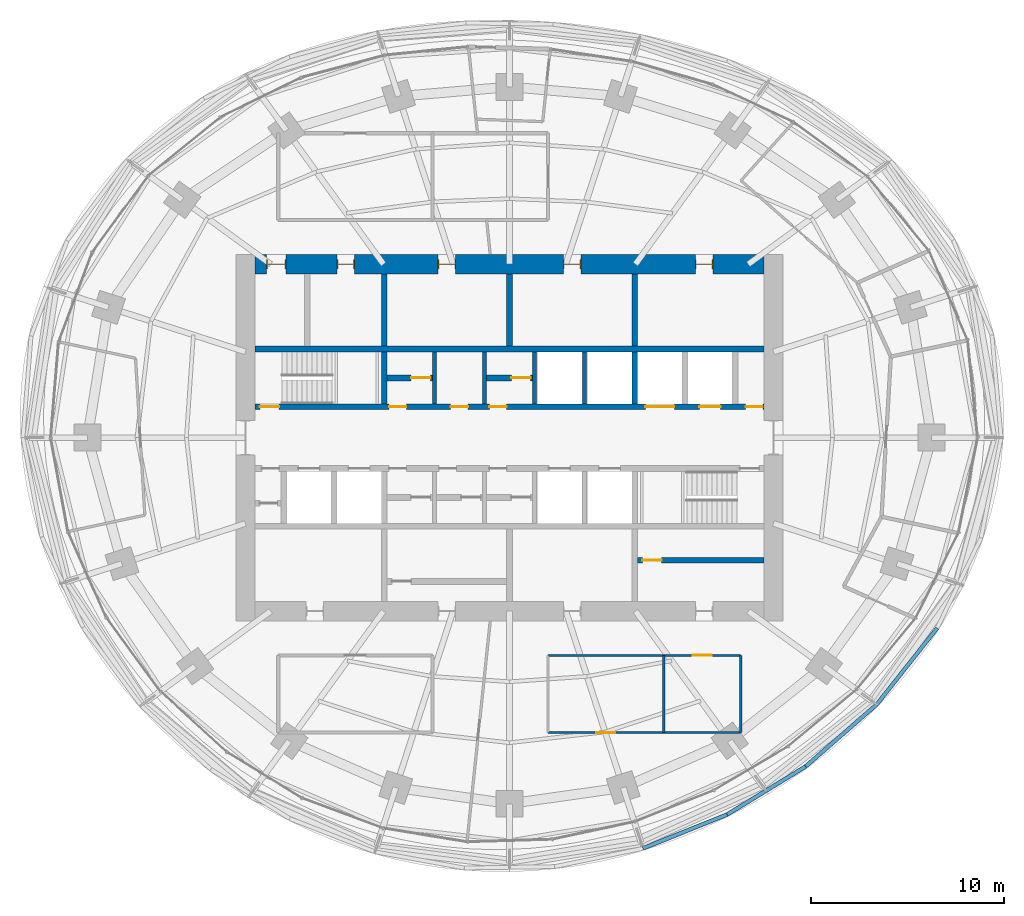
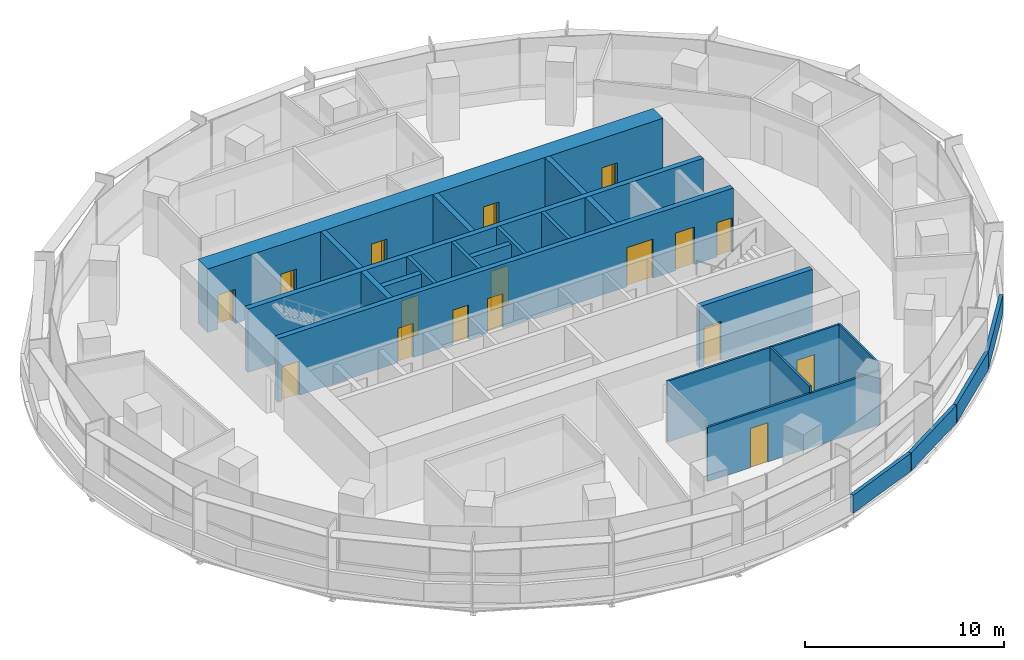
# One storey, part 13 of 17: 23 walls, 17 doors, 17 openings.
"""IFC4 building model written with IfcOpenShell, lengths in metres."""

from ifc_helpers import new_model, si_unit, direction, frame, frame_2d, origin, place, context, subcontext, project, spatial, rectangle, extrude, material, layer, layer_set, type_object, element, fill, save


model = new_model("IFC4")

# Units and contexts
model_context = context("Model", 3, precision=1e-05, world=origin(), true_north=direction((0.0, 1.0)))
body_context = subcontext(model_context, "Body", "Model", "MODEL_VIEW")
ifc_project = project(units=[si_unit("LENGTHUNIT", "METRE"), si_unit("AREAUNIT", "SQUARE_METRE"), si_unit("VOLUMEUNIT", "CUBIC_METRE"), si_unit("PLANEANGLEUNIT", "RADIAN"), si_unit("MASSUNIT", "GRAM", prefix="KILO")], contexts=[model_context])

# Site, building, storey
site_placement = place(None, origin())
site = spatial("IfcSite", under=ifc_project, at=site_placement, CompositionType="ELEMENT")
building_placement = place(site_placement, origin())
building = spatial("IfcBuilding", under=site, at=building_placement, Name="Marramba Exchange Tower", CompositionType="ELEMENT")
storey_placement = place(building_placement, frame((0.0, 0.0, 172.10009765625)))
storey = spatial("IfcBuildingStorey", under=building, at=storey_placement, Name="L41", CompositionType="ELEMENT", Elevation=172.10009765625)

# Walls
ifc_material_1 = material(Name="Concrete N50", Category="concrete")
ifc_layer_1 = layer(ifc_material_1, 0.199951171875)
ifc_layer_set_1 = layer_set([ifc_layer_1], Name="Core shaft wall 200")
wall_type_1 = type_object("IfcWallType", Name="Core shaft wall 200", PredefinedType="SHEAR", material=ifc_layer_set_1)
for number, where, z_axis, x_axis, name in (
    (1, (-3.89990234375, 1.75, 0.0), (0.0, 0.0, 1.0), (0.0, 1.0, 0.0), "Core wall SHN1 L41"),
    (2, (-1.300048828125, 1.75, 0.0), (0.0, 0.0, 1.0), (0.0, 1.0, 0.0), "Core wall SHN2 L41"),
    (3, (1.300048828125, 1.75, 0.0), (0.0, 0.0, 1.0), (0.0, 1.0, 0.0), "Core wall SHN3 L41"),
    (4, (3.89990234375, 1.75, 0.0), (0.0, 0.0, 1.0), (0.0, 1.0, 0.0), "Core wall SHN4 L41"),
):
    element("IfcWall", number, at=place(storey_placement, frame(where, z_axis=z_axis, x_axis=x_axis)), inside=storey, type_object=wall_type_1, Name=name, PredefinedType="SHEAR", context=body_context, shape_type="SweptSolid", body=[
        extrude(rectangle(XDim=2.699951171875, YDim=0.199951171875, at=frame_2d((1.35009765625, 0.0))), origin(), (0.0, 0.0, 1.0), 3.89990234375),
    ])

# Wall, openings, doors
ifc_layer_2 = layer(ifc_material_1, 1.0)
ifc_layer_set_2 = layer_set([ifc_layer_2], Name="Core wall 1000")
wall_type_2 = type_object("IfcWallType", Name="Core wall 1000", PredefinedType="SHEAR", material=ifc_layer_set_2)
wall_1_placement = place(storey_placement, frame((13.199951171875, 9.0, 0.0), z_axis=(0.0, 0.0, 1.0), x_axis=(-1.0, 0.0, 0.0)))
wall_1 = element("IfcWall", 5, at=wall_1_placement, inside=storey, type_object=wall_type_2, Name="Core wall N L41", PredefinedType="SHEAR", context=body_context, shape_type="SweptSolid", body=[
    extrude(rectangle(XDim=26.39990234375, YDim=1.0, at=frame_2d((13.199951171875, 0.0))), origin(), (0.0, 0.0, 1.0), 3.89990234375),
])
opening_1_placement = place(wall_1_placement, frame((2.64990234375, 0.0, 0.0)))
opening_1 = element("IfcOpeningElement", 6, at=opening_1_placement, cuts=wall_1, Name="Opening D5", PredefinedType="OPENING", context=body_context, shape_type="SweptSolid", body=[
    extrude(rectangle(XDim=0.89990234375, YDim=2.10009765625, at=frame_2d((0.449951171875, 1.050048828125))), frame((0.0, 0.510009765625, 0.0), z_axis=(0.0, -1.0, 0.0), x_axis=(1.0, 0.0, 0.0)), (0.0, 0.0, 1.0), 1.02001953125),
])
opening_2_placement = place(wall_1_placement, frame((9.5, 0.0, 0.0)))
opening_2 = element("IfcOpeningElement", 7, at=opening_2_placement, cuts=wall_1, Name="Opening D3", PredefinedType="OPENING", context=body_context, shape_type="SweptSolid", body=[
    extrude(rectangle(XDim=0.89990234375, YDim=2.10009765625, at=frame_2d((0.449951171875, 1.050048828125))), frame((0.0, 0.510009765625, 0.0), z_axis=(0.0, -1.0, 0.0), x_axis=(1.0, 0.0, 0.0)), (0.0, 0.0, 1.0), 1.02001953125),
])
opening_3_placement = place(wall_1_placement, frame((16.0, 0.0, 0.0)))
opening_3 = element("IfcOpeningElement", 8, at=opening_3_placement, cuts=wall_1, Name="Opening D3", PredefinedType="OPENING", context=body_context, shape_type="SweptSolid", body=[
    extrude(rectangle(XDim=0.89990234375, YDim=2.10009765625, at=frame_2d((0.449951171875, 1.050048828125))), frame((0.0, 0.510009765625, 0.0), z_axis=(0.0, -1.0, 0.0), x_axis=(1.0, 0.0, 0.0)), (0.0, 0.0, 1.0), 1.02001953125),
])
opening_4_placement = place(wall_1_placement, frame((21.25, 0.0, 0.0)))
opening_4 = element("IfcOpeningElement", 9, at=opening_4_placement, cuts=wall_1, Name="Opening D5", PredefinedType="OPENING", context=body_context, shape_type="SweptSolid", body=[
    extrude(rectangle(XDim=0.89990234375, YDim=2.10009765625, at=frame_2d((0.449951171875, 1.050048828125))), frame((0.0, 0.510009765625, 0.0), z_axis=(0.0, -1.0, 0.0), x_axis=(1.0, 0.0, 0.0)), (0.0, 0.0, 1.0), 1.02001953125),
])
opening_5_placement = place(wall_1_placement, frame((24.800048828125, 0.0, 0.0)))
opening_5 = element("IfcOpeningElement", 10, at=opening_5_placement, cuts=wall_1, Name="Opening D4", PredefinedType="OPENING", context=body_context, shape_type="SweptSolid", body=[
    extrude(rectangle(XDim=1.0, YDim=2.10009765625, at=frame_2d((0.5, 1.050048828125))), frame((0.0, 0.510009765625, 0.0), z_axis=(0.0, -1.0, 0.0), x_axis=(1.0, 0.0, 0.0)), (0.0, 0.0, 1.0), 1.02001953125),
])
ifc_material_2 = material(Name="Steel-framed door", Category="steel")
door_type_1 = type_object("IfcDoorType", Name="Accessible toilet door 1000x2100", OperationType="SINGLE_SWING_LEFT", PredefinedType="DOOR", material=ifc_material_2)
door_1_placement = place(opening_5_placement, origin())
door_1 = element("IfcDoor", 11, at=door_1_placement, inside=storey, type_object=door_type_1, Name="D4 awc L41", OperationType="SINGLE_SWING_RIGHT", OverallHeight=2.10009765625, OverallWidth=1.0, PredefinedType="DOOR", context=body_context, shape_type="SweptSolid", body=[
    extrude(rectangle(XDim=0.919921875, YDim=2.06005859375, at=frame_2d((0.5, 1.030029296875))), frame((0.0, 0.02490234375, 0.0), z_axis=(0.0, -1.0, 0.0), x_axis=(1.0, 0.0, 0.0)), (0.0, 0.0, 1.0), 0.050048828125),
    extrude(rectangle(XDim=0.04, YDim=2.10009765625, at=frame_2d((0.02001953125, 1.050048828125))), frame((0.0, 0.25, 0.0), z_axis=(0.0, -1.0, 0.0), x_axis=(1.0, 0.0, 0.0)), (0.0, 0.0, 1.0), 0.5),
    extrude(rectangle(XDim=0.04, YDim=2.10009765625, at=frame_2d((0.97998046875, 1.050048828125))), frame((0.0, 0.25, 0.0), z_axis=(0.0, -1.0, 0.0), x_axis=(1.0, 0.0, 0.0)), (0.0, 0.0, 1.0), 0.5),
    extrude(rectangle(XDim=0.919921875, YDim=0.04, at=frame_2d((0.5, 2.080078125))), frame((0.0, 0.25, 0.0), z_axis=(0.0, -1.0, 0.0), x_axis=(1.0, 0.0, 0.0)), (0.0, 0.0, 1.0), 0.5),
])
fill(opening_5, door_1)
door_type_2 = type_object("IfcDoorType", Name="Service door 900x2100", OperationType="SINGLE_SWING_LEFT", PredefinedType="DOOR", material=ifc_material_2)
door_2_placement = place(opening_1_placement, origin())
door_2 = element("IfcDoor", 12, at=door_2_placement, inside=storey, type_object=door_type_2, Name="D5 comms L41", OperationType="SINGLE_SWING_LEFT", OverallHeight=2.10009765625, OverallWidth=0.89990234375, PredefinedType="DOOR", context=body_context, shape_type="SweptSolid", body=[
    extrude(rectangle(XDim=0.81982421875, YDim=2.06005859375, at=frame_2d((0.449951171875, 1.030029296875))), frame((0.0, 0.02490234375, 0.0), z_axis=(0.0, -1.0, 0.0), x_axis=(1.0, 0.0, 0.0)), (0.0, 0.0, 1.0), 0.050048828125),
    extrude(rectangle(XDim=0.04, YDim=2.10009765625, at=frame_2d((0.02001953125, 1.050048828125))), frame((0.0, 0.25, 0.0), z_axis=(0.0, -1.0, 0.0), x_axis=(1.0, 0.0, 0.0)), (0.0, 0.0, 1.0), 0.5),
    extrude(rectangle(XDim=0.04, YDim=2.10009765625, at=frame_2d((0.8798828125, 1.050048828125))), frame((0.0, 0.25, 0.0), z_axis=(0.0, -1.0, 0.0), x_axis=(1.0, 0.0, 0.0)), (0.0, 0.0, 1.0), 0.5),
    extrude(rectangle(XDim=0.81982421875, YDim=0.04, at=frame_2d((0.449951171875, 2.080078125))), frame((0.0, 0.25, 0.0), z_axis=(0.0, -1.0, 0.0), x_axis=(1.0, 0.0, 0.0)), (0.0, 0.0, 1.0), 0.5),
])
fill(opening_1, door_2)
door_3_placement = place(opening_4_placement, origin())
door_3 = element("IfcDoor", 13, at=door_3_placement, inside=storey, type_object=door_type_2, Name="D5 cleaner L41", OperationType="SINGLE_SWING_RIGHT", OverallHeight=2.10009765625, OverallWidth=0.89990234375, PredefinedType="DOOR", context=body_context, shape_type="SweptSolid", body=[
    extrude(rectangle(XDim=0.81982421875, YDim=2.06005859375, at=frame_2d((0.449951171875, 1.030029296875))), frame((0.0, 0.02490234375, 0.0), z_axis=(0.0, -1.0, 0.0), x_axis=(1.0, 0.0, 0.0)), (0.0, 0.0, 1.0), 0.050048828125),
    extrude(rectangle(XDim=0.04, YDim=2.10009765625, at=frame_2d((0.02001953125, 1.050048828125))), frame((0.0, 0.25, 0.0), z_axis=(0.0, -1.0, 0.0), x_axis=(1.0, 0.0, 0.0)), (0.0, 0.0, 1.0), 0.5),
    extrude(rectangle(XDim=0.04, YDim=2.10009765625, at=frame_2d((0.8798828125, 1.050048828125))), frame((0.0, 0.25, 0.0), z_axis=(0.0, -1.0, 0.0), x_axis=(1.0, 0.0, 0.0)), (0.0, 0.0, 1.0), 0.5),
    extrude(rectangle(XDim=0.81982421875, YDim=0.04, at=frame_2d((0.449951171875, 2.080078125))), frame((0.0, 0.25, 0.0), z_axis=(0.0, -1.0, 0.0), x_axis=(1.0, 0.0, 0.0)), (0.0, 0.0, 1.0), 0.5),
])
fill(opening_4, door_3)
door_type_3 = type_object("IfcDoorType", Name="Toilet door 900x2100", OperationType="SINGLE_SWING_LEFT", PredefinedType="DOOR", material=ifc_material_2)
door_4_placement = place(opening_2_placement, origin())
door_4 = element("IfcDoor", 14, at=door_4_placement, inside=storey, type_object=door_type_3, Name="D3 wc-f L41", OperationType="SINGLE_SWING_RIGHT", OverallHeight=2.10009765625, OverallWidth=0.89990234375, PredefinedType="DOOR", context=body_context, shape_type="SweptSolid", body=[
    extrude(rectangle(XDim=0.81982421875, YDim=2.06005859375, at=frame_2d((0.449951171875, 1.030029296875))), frame((0.0, 0.02490234375, 0.0), z_axis=(0.0, -1.0, 0.0), x_axis=(1.0, 0.0, 0.0)), (0.0, 0.0, 1.0), 0.050048828125),
    extrude(rectangle(XDim=0.04, YDim=2.10009765625, at=frame_2d((0.02001953125, 1.050048828125))), frame((0.0, 0.25, 0.0), z_axis=(0.0, -1.0, 0.0), x_axis=(1.0, 0.0, 0.0)), (0.0, 0.0, 1.0), 0.5),
    extrude(rectangle(XDim=0.04, YDim=2.10009765625, at=frame_2d((0.8798828125, 1.050048828125))), frame((0.0, 0.25, 0.0), z_axis=(0.0, -1.0, 0.0), x_axis=(1.0, 0.0, 0.0)), (0.0, 0.0, 1.0), 0.5),
    extrude(rectangle(XDim=0.81982421875, YDim=0.04, at=frame_2d((0.449951171875, 2.080078125))), frame((0.0, 0.25, 0.0), z_axis=(0.0, -1.0, 0.0), x_axis=(1.0, 0.0, 0.0)), (0.0, 0.0, 1.0), 0.5),
])
fill(opening_2, door_4)
door_5_placement = place(opening_3_placement, origin())
door_5 = element("IfcDoor", 15, at=door_5_placement, inside=storey, type_object=door_type_3, Name="D3 wc-m L41", OperationType="SINGLE_SWING_RIGHT", OverallHeight=2.10009765625, OverallWidth=0.89990234375, PredefinedType="DOOR", context=body_context, shape_type="SweptSolid", body=[
    extrude(rectangle(XDim=0.81982421875, YDim=2.06005859375, at=frame_2d((0.449951171875, 1.030029296875))), frame((0.0, 0.02490234375, 0.0), z_axis=(0.0, -1.0, 0.0), x_axis=(1.0, 0.0, 0.0)), (0.0, 0.0, 1.0), 0.050048828125),
    extrude(rectangle(XDim=0.04, YDim=2.10009765625, at=frame_2d((0.02001953125, 1.050048828125))), frame((0.0, 0.25, 0.0), z_axis=(0.0, -1.0, 0.0), x_axis=(1.0, 0.0, 0.0)), (0.0, 0.0, 1.0), 0.5),
    extrude(rectangle(XDim=0.04, YDim=2.10009765625, at=frame_2d((0.8798828125, 1.050048828125))), frame((0.0, 0.25, 0.0), z_axis=(0.0, -1.0, 0.0), x_axis=(1.0, 0.0, 0.0)), (0.0, 0.0, 1.0), 0.5),
    extrude(rectangle(XDim=0.81982421875, YDim=0.04, at=frame_2d((0.449951171875, 2.080078125))), frame((0.0, 0.25, 0.0), z_axis=(0.0, -1.0, 0.0), x_axis=(1.0, 0.0, 0.0)), (0.0, 0.0, 1.0), 0.5),
])
fill(opening_3, door_5)

ifc_layer_3 = layer(ifc_material_1, 0.300048828125)
ifc_layer_set_3 = layer_set([ifc_layer_3], Name="Core wall 300")
wall_type_3 = type_object("IfcWallType", Name="Core wall 300", PredefinedType="SHEAR", material=ifc_layer_set_3)
wall_2_placement = place(storey_placement, frame((-13.199951171875, 1.60009765625, 0.0), z_axis=(0.0, 0.0, 1.0), x_axis=(1.0, 0.0, 0.0)))
wall_2 = element("IfcWall", 16, at=wall_2_placement, inside=storey, type_object=wall_type_3, Name="Core wall LN L41", PredefinedType="SHEAR", context=body_context, shape_type="SweptSolid", body=[
    extrude(rectangle(XDim=26.39990234375, YDim=0.300048828125, at=frame_2d((13.199951171875, 0.0))), origin(), (0.0, 0.0, 1.0), 3.89990234375),
])
opening_6_placement = place(wall_2_placement, frame((0.25, 0.0, 0.0)))
opening_6 = element("IfcOpeningElement", 17, at=opening_6_placement, cuts=wall_2, Name="Opening D2", PredefinedType="OPENING", context=body_context, shape_type="SweptSolid", body=[
    extrude(rectangle(XDim=1.0, YDim=2.10009765625, at=frame_2d((0.5, 1.050048828125))), frame((0.0, 0.159912109375, 0.0), z_axis=(0.0, -1.0, 0.0), x_axis=(1.0, 0.0, 0.0)), (0.0, 0.0, 1.0), 0.320068359375),
])
opening_7_placement = place(wall_2_placement, frame((23.050048828125, 0.0, 0.0)))
opening_7 = element("IfcOpeningElement", 18, at=opening_7_placement, cuts=wall_2, Name="Opening LD1", PredefinedType="OPENING", context=body_context, shape_type="SweptSolid", body=[
    extrude(rectangle(XDim=1.10009765625, YDim=2.300048828125, at=frame_2d((0.550048828125, 1.14990234375))), frame((0.0, 0.159912109375, 0.0), z_axis=(0.0, -1.0, 0.0), x_axis=(1.0, 0.0, 0.0)), (0.0, 0.0, 1.0), 0.320068359375),
])
opening_8_placement = place(wall_2_placement, frame((20.25, 0.0, 0.0)))
opening_8 = element("IfcOpeningElement", 19, at=opening_8_placement, cuts=wall_2, Name="Opening LD3", PredefinedType="OPENING", context=body_context, shape_type="SweptSolid", body=[
    extrude(rectangle(XDim=1.5, YDim=2.39990234375, at=frame_2d((0.75, 1.199951171875))), frame((0.0, 0.159912109375, 0.0), z_axis=(0.0, -1.0, 0.0), x_axis=(1.0, 0.0, 0.0)), (0.0, 0.0, 1.0), 0.320068359375),
])
opening_9_placement = place(wall_2_placement, frame((6.949951171875, 0.0, 0.0)))
opening_9 = element("IfcOpeningElement", 20, at=opening_9_placement, cuts=wall_2, Name="Opening D5", PredefinedType="OPENING", context=body_context, shape_type="SweptSolid", body=[
    extrude(rectangle(XDim=0.89990234375, YDim=2.10009765625, at=frame_2d((0.449951171875, 1.050048828125))), frame((0.0, 0.159912109375, 0.0), z_axis=(0.0, -1.0, 0.0), x_axis=(1.0, 0.0, 0.0)), (0.0, 0.0, 1.0), 0.320068359375),
])
opening_10_placement = place(wall_2_placement, frame((10.14990234375, 0.0, 0.0)))
opening_10 = element("IfcOpeningElement", 21, at=opening_10_placement, cuts=wall_2, Name="Opening D5", PredefinedType="OPENING", context=body_context, shape_type="SweptSolid", body=[
    extrude(rectangle(XDim=0.89990234375, YDim=2.10009765625, at=frame_2d((0.449951171875, 1.050048828125))), frame((0.0, 0.159912109375, 0.0), z_axis=(0.0, -1.0, 0.0), x_axis=(1.0, 0.0, 0.0)), (0.0, 0.0, 1.0), 0.320068359375),
])
opening_11_placement = place(wall_2_placement, frame((12.14990234375, 0.0, 0.0)))
opening_11 = element("IfcOpeningElement", 22, at=opening_11_placement, cuts=wall_2, Name="Opening D5", PredefinedType="OPENING", context=body_context, shape_type="SweptSolid", body=[
    extrude(rectangle(XDim=0.89990234375, YDim=2.10009765625, at=frame_2d((0.449951171875, 1.050048828125))), frame((0.0, 0.159912109375, 0.0), z_axis=(0.0, -1.0, 0.0), x_axis=(1.0, 0.0, 0.0)), (0.0, 0.0, 1.0), 0.320068359375),
])
opening_12_placement = place(wall_2_placement, frame((25.449951171875, 0.0, 0.0)))
opening_12 = element("IfcOpeningElement", 23, at=opening_12_placement, cuts=wall_2, Name="Opening D5", PredefinedType="OPENING", context=body_context, shape_type="SweptSolid", body=[
    extrude(rectangle(XDim=0.89990234375, YDim=2.10009765625, at=frame_2d((0.449951171875, 1.050048828125))), frame((0.0, 0.159912109375, 0.0), z_axis=(0.0, -1.0, 0.0), x_axis=(1.0, 0.0, 0.0)), (0.0, 0.0, 1.0), 0.320068359375),
])
door_type_4 = type_object("IfcDoorType", Name="Goods lift landing door 1500x2400", OperationType="SLIDING_TO_LEFT", PredefinedType="DOOR", material=ifc_material_2)
door_6_placement = place(opening_8_placement, origin())
door_6 = element("IfcDoor", 24, at=door_6_placement, inside=storey, type_object=door_type_4, Name="GL1 landing door L41", OperationType="SLIDING_TO_LEFT", OverallHeight=2.39990234375, OverallWidth=1.5, PredefinedType="DOOR", context=body_context, shape_type="SweptSolid", body=[
    extrude(rectangle(XDim=1.5, YDim=2.39990234375, at=frame_2d((0.75, 1.199951171875))), frame((0.0, 0.02490234375, 0.0), z_axis=(0.0, -1.0, 0.0), x_axis=(1.0, 0.0, 0.0)), (0.0, 0.0, 1.0), 0.050048828125),
])
fill(opening_8, door_6)
door_type_5 = type_object("IfcDoorType", Name="Lift landing door 1100x2300", OperationType="SLIDING_TO_LEFT", PredefinedType="DOOR", material=ifc_material_2)
door_7_placement = place(opening_7_placement, origin())
door_7 = element("IfcDoor", 25, at=door_7_placement, inside=storey, type_object=door_type_5, Name="LC3 landing door L41", OperationType="SLIDING_TO_LEFT", OverallHeight=2.300048828125, OverallWidth=1.10009765625, PredefinedType="DOOR", context=body_context, shape_type="SweptSolid", body=[
    extrude(rectangle(XDim=1.10009765625, YDim=2.300048828125, at=frame_2d((0.550048828125, 1.14990234375))), frame((0.0, 0.02490234375, 0.0), z_axis=(0.0, -1.0, 0.0), x_axis=(1.0, 0.0, 0.0)), (0.0, 0.0, 1.0), 0.050048828125),
])
fill(opening_7, door_7)
door_8_placement = place(opening_9_placement, origin())
door_8 = element("IfcDoor", 26, at=door_8_placement, inside=storey, type_object=door_type_2, Name="D5 switch room L41", OperationType="SINGLE_SWING_LEFT", OverallHeight=2.10009765625, OverallWidth=0.89990234375, PredefinedType="DOOR", context=body_context, shape_type="SweptSolid", body=[
    extrude(rectangle(XDim=0.89990234375, YDim=2.10009765625, at=frame_2d((0.449951171875, 1.050048828125))), frame((0.0, 0.02490234375, 0.0), z_axis=(0.0, -1.0, 0.0), x_axis=(1.0, 0.0, 0.0)), (0.0, 0.0, 1.0), 0.050048828125),
])
fill(opening_9, door_8)
door_9_placement = place(opening_10_placement, origin())
door_9 = element("IfcDoor", 27, at=door_9_placement, inside=storey, type_object=door_type_2, Name="D5 waste room L41", OperationType="SINGLE_SWING_RIGHT", OverallHeight=2.10009765625, OverallWidth=0.89990234375, PredefinedType="DOOR", context=body_context, shape_type="SweptSolid", body=[
    extrude(rectangle(XDim=0.89990234375, YDim=2.10009765625, at=frame_2d((0.449951171875, 1.050048828125))), frame((0.0, 0.02490234375, 0.0), z_axis=(0.0, -1.0, 0.0), x_axis=(1.0, 0.0, 0.0)), (0.0, 0.0, 1.0), 0.050048828125),
])
fill(opening_10, door_9)
door_10_placement = place(opening_11_placement, origin())
door_10 = element("IfcDoor", 28, at=door_10_placement, inside=storey, type_object=door_type_2, Name="D5 general store L41", OperationType="SINGLE_SWING_LEFT", OverallHeight=2.10009765625, OverallWidth=0.89990234375, PredefinedType="DOOR", context=body_context, shape_type="SweptSolid", body=[
    extrude(rectangle(XDim=0.89990234375, YDim=2.10009765625, at=frame_2d((0.449951171875, 1.050048828125))), frame((0.0, 0.02490234375, 0.0), z_axis=(0.0, -1.0, 0.0), x_axis=(1.0, 0.0, 0.0)), (0.0, 0.0, 1.0), 0.050048828125),
])
fill(opening_11, door_10)
door_11_placement = place(opening_12_placement, origin())
door_11 = element("IfcDoor", 29, at=door_11_placement, inside=storey, type_object=door_type_2, Name="D5 riser L41", OperationType="SINGLE_SWING_RIGHT", OverallHeight=2.10009765625, OverallWidth=0.89990234375, PredefinedType="DOOR", context=body_context, shape_type="SweptSolid", body=[
    extrude(rectangle(XDim=0.89990234375, YDim=2.10009765625, at=frame_2d((0.449951171875, 1.050048828125))), frame((0.0, 0.02490234375, 0.0), z_axis=(0.0, -1.0, 0.0), x_axis=(1.0, 0.0, 0.0)), (0.0, 0.0, 1.0), 0.050048828125),
])
fill(opening_12, door_11)
door_type_6 = type_object("IfcDoorType", Name="Stair door 1000x2100", OperationType="SINGLE_SWING_LEFT", PredefinedType="DOOR", material=ifc_material_2)
door_12_placement = place(opening_6_placement, origin())
door_12 = element("IfcDoor", 30, at=door_12_placement, inside=storey, type_object=door_type_6, Name="D2 stair ST1 L41", OperationType="SINGLE_SWING_LEFT", OverallHeight=2.10009765625, OverallWidth=1.0, PredefinedType="DOOR", context=body_context, shape_type="SweptSolid", body=[
    extrude(rectangle(XDim=1.0, YDim=2.10009765625, at=frame_2d((0.5, 1.050048828125))), frame((0.0, 0.02490234375, 0.0), z_axis=(0.0, -1.0, 0.0), x_axis=(1.0, 0.0, 0.0)), (0.0, 0.0, 1.0), 0.050048828125),
])
fill(opening_6, door_12)

# Walls
wall_3_placement = place(storey_placement, frame((-13.199951171875, 4.60009765625, 0.0), z_axis=(0.0, 0.0, 1.0), x_axis=(1.0, 0.0, 0.0)))
element("IfcWall", 31, at=wall_3_placement, inside=storey, type_object=wall_type_3, Name="Core wall BN L41", PredefinedType="SHEAR", context=body_context, shape_type="SweptSolid", body=[
    extrude(rectangle(XDim=26.39990234375, YDim=0.300048828125, at=frame_2d((13.199951171875, 0.0))), origin(), (0.0, 0.0, 1.0), 3.89990234375),
])
wall_4_placement = place(storey_placement, frame((-6.5, 1.75, 0.0), z_axis=(0.0, 0.0, 1.0), x_axis=(0.0, 1.0, 0.0)))
element("IfcWall", 32, at=wall_4_placement, inside=storey, type_object=wall_type_3, Name="Core wall X0Na L41", PredefinedType="SHEAR", context=body_context, shape_type="SweptSolid", body=[
    extrude(rectangle(XDim=2.699951171875, YDim=0.300048828125, at=frame_2d((1.35009765625, 0.0))), origin(), (0.0, 0.0, 1.0), 3.89990234375),
])
wall_5_placement = place(storey_placement, frame((-6.5, 4.75, 0.0), z_axis=(0.0, 0.0, 1.0), x_axis=(0.0, 1.0, 0.0)))
element("IfcWall", 33, at=wall_5_placement, inside=storey, type_object=wall_type_3, Name="Core wall X0Nb L41", PredefinedType="SHEAR", context=body_context, shape_type="SweptSolid", body=[
    extrude(rectangle(XDim=3.75, YDim=0.300048828125, at=frame_2d((1.875, 0.0))), origin(), (0.0, 0.0, 1.0), 3.89990234375),
])
wall_6_placement = place(storey_placement, frame((6.5, 1.75, 0.0), z_axis=(0.0, 0.0, 1.0), x_axis=(0.0, 1.0, 0.0)))
element("IfcWall", 34, at=wall_6_placement, inside=storey, type_object=wall_type_3, Name="Core wall X1Na L41", PredefinedType="SHEAR", context=body_context, shape_type="SweptSolid", body=[
    extrude(rectangle(XDim=2.699951171875, YDim=0.300048828125, at=frame_2d((1.35009765625, 0.0))), origin(), (0.0, 0.0, 1.0), 3.89990234375),
])
for number, where, z_axis, x_axis, name in (
    (35, (6.5, 4.75, 0.0), (0.0, 0.0, 1.0), (0.0, 1.0, 0.0), "Core wall X1Nb L41"),
    (36, (0.0, 4.75, 0.0), (0.0, 0.0, 1.0), (0.0, 1.0, 0.0), "Core wall MN L41"),
):
    element("IfcWall", number, at=place(storey_placement, frame(where, z_axis=z_axis, x_axis=x_axis)), inside=storey, type_object=wall_type_3, Name=name, PredefinedType="SHEAR", context=body_context, shape_type="SweptSolid", body=[
        extrude(rectangle(XDim=3.75, YDim=0.300048828125, at=frame_2d((1.875, 0.0))), origin(), (0.0, 0.0, 1.0), 3.89990234375),
    ])

# Wall, opening, door
ifc_material_3 = material(Name="Plasterboard on steel studs", Category="steel")
ifc_layer_4 = layer(ifc_material_3, 0.1201171875)
ifc_layer_set_4 = layer_set([ifc_layer_4], Name="Partition 120")
wall_type_4 = type_object("IfcWallType", Name="Partition 120", PredefinedType="PARTITIONING", material=ifc_layer_set_4)
wall_7_placement = place(storey_placement, frame((12.0, -15.300048828125, 0.0), z_axis=(0.0, 0.0, 1.0), x_axis=(-1.0, 0.0, 0.0)))
wall_7 = element("IfcWall", 37, at=wall_7_placement, inside=storey, type_object=wall_type_4, Name="Partition L41 08", PredefinedType="PARTITIONING", context=body_context, shape_type="SweptSolid", body=[
    extrude(rectangle(XDim=10.0, YDim=0.1201171875, at=frame_2d((5.0, 0.0))), origin(), (0.0, 0.0, 1.0), 3.333984375),
])
opening_13_placement = place(wall_7_placement, frame((6.5, 0.0, 0.0)))
opening_13 = element("IfcOpeningElement", 38, at=opening_13_placement, cuts=wall_7, Name="Opening D9", PredefinedType="OPENING", context=body_context, shape_type="SweptSolid", body=[
    extrude(rectangle(XDim=1.0, YDim=2.39990234375, at=frame_2d((0.5, 1.199951171875))), frame((0.0, 0.070068359375, 0.0), z_axis=(0.0, -1.0, 0.0), x_axis=(1.0, 0.0, 0.0)), (0.0, 0.0, 1.0), 0.14013671875),
])
ifc_material_4 = material(Name="Timber door", Category="wood")
door_type_7 = type_object("IfcDoorType", Name="Room door 1000x2400", OperationType="SINGLE_SWING_LEFT", PredefinedType="DOOR", material=ifc_material_4)
door_13_placement = place(opening_13_placement, frame((1.0, 0.0, 0.0), z_axis=(0.0, 0.0, 1.0), x_axis=(-1.0, 0.0, 0.0)))
door_13 = element("IfcDoor", 39, at=door_13_placement, inside=storey, type_object=door_type_7, Name="D9 Pantry L41", OperationType="SINGLE_SWING_RIGHT", OverallHeight=2.39990234375, OverallWidth=1.0, PredefinedType="DOOR", context=body_context, shape_type="SweptSolid", body=[
    extrude(rectangle(XDim=1.0, YDim=2.39990234375, at=frame_2d((0.5, 1.199951171875))), frame((0.0, 0.025146484375, 0.0), z_axis=(0.0, -1.0, 0.0), x_axis=(1.0, 0.0, 0.0)), (0.0, 0.0, 1.0), 0.050048828125),
])
fill(opening_13, door_13)

# Wall
wall_8_placement = place(storey_placement, frame((8.0, -11.300048828125, 0.0), z_axis=(0.0, 0.0, 1.0), x_axis=(0.0, -1.0, 0.0)))
element("IfcWall", 40, at=wall_8_placement, inside=storey, type_object=wall_type_4, Name="Partition L41 09", PredefinedType="PARTITIONING", context=body_context, shape_type="SweptSolid", body=[
    extrude(rectangle(XDim=4.0, YDim=0.1201171875, at=frame_2d((2.0, 0.0))), origin(), (0.0, 0.0, 1.0), 3.739990234375),
])

# Wall, opening, door
wall_9_placement = place(storey_placement, frame((2.0, -11.300048828125, 0.0), z_axis=(0.0, 0.0, 1.0), x_axis=(1.0, 0.0, 0.0)))
wall_9 = element("IfcWall", 41, at=wall_9_placement, inside=storey, type_object=wall_type_4, Name="Partition L41 10", PredefinedType="PARTITIONING", context=body_context, shape_type="SweptSolid", body=[
    extrude(rectangle(XDim=10.0, YDim=0.1201171875, at=frame_2d((5.0, 0.0))), origin(), (0.0, 0.0, 1.0), 3.739990234375),
])
opening_14_placement = place(wall_9_placement, frame((7.5, 0.0, 0.0)))
opening_14 = element("IfcOpeningElement", 42, at=opening_14_placement, cuts=wall_9, Name="Opening D9", PredefinedType="OPENING", context=body_context, shape_type="SweptSolid", body=[
    extrude(rectangle(XDim=1.0, YDim=2.39990234375, at=frame_2d((0.5, 1.199951171875))), frame((0.0, 0.070068359375, 0.0), z_axis=(0.0, -1.0, 0.0), x_axis=(1.0, 0.0, 0.0)), (0.0, 0.0, 1.0), 0.14013671875),
])
door_14_placement = place(opening_14_placement, frame((1.0, 0.0, 0.0), z_axis=(0.0, 0.0, 1.0), x_axis=(-1.0, 0.0, 0.0)))
door_14 = element("IfcDoor", 43, at=door_14_placement, inside=storey, type_object=door_type_7, Name="D9 Print Room L41", OperationType="SINGLE_SWING_RIGHT", OverallHeight=2.39990234375, OverallWidth=1.0, PredefinedType="DOOR", context=body_context, shape_type="SweptSolid", body=[
    extrude(rectangle(XDim=1.0, YDim=2.39990234375, at=frame_2d((0.5, 1.199951171875))), frame((0.0, 0.025146484375, 0.0), z_axis=(0.0, -1.0, 0.0), x_axis=(1.0, 0.0, 0.0)), (0.0, 0.0, 1.0), 0.050048828125),
])
fill(opening_14, door_14)

# Walls
wall_10_placement = place(storey_placement, frame((12.0, -11.300048828125, 0.0), z_axis=(0.0, 0.0, 1.0), x_axis=(0.0, -1.0, 0.0)))
element("IfcWall", 44, at=wall_10_placement, inside=storey, type_object=wall_type_4, Name="Partition L41 11", PredefinedType="PARTITIONING", context=body_context, shape_type="SweptSolid", body=[
    extrude(rectangle(XDim=4.0, YDim=0.1201171875, at=frame_2d((2.0, 0.0))), origin(), (0.0, 0.0, 1.0), 3.739990234375),
])
ifc_material_5 = material(Name="Concrete N40", Category="concrete")
ifc_layer_5 = layer(ifc_material_5, 0.199951171875)
ifc_layer_set_5 = layer_set([ifc_layer_5], Name="Roof parapet 200")
wall_type_5 = type_object("IfcWallType", Name="Roof parapet 200", PredefinedType="PARAPET", material=ifc_layer_set_5)
wall_11_placement = place(storey_placement, frame((6.92431640625, -21.31103515625, 0.0), z_axis=(0.0, 0.0, 1.0), x_axis=(0.928003692875, 0.37257099459, 0.0)))
element("IfcWall", 45, at=wall_11_placement, inside=storey, type_object=wall_type_5, Name="Parapet L41 F25", PredefinedType="PARAPET", context=body_context, shape_type="SweptSolid", body=[
    extrude(rectangle(XDim=4.706298828125, YDim=0.199951171875, at=frame_2d((2.35302734375, 0.0))), origin(), (0.0, 0.0, 1.0), 1.099853515625),
])
wall_12_placement = place(storey_placement, frame((11.291748046875, -19.5576171875, 0.0), z_axis=(0.0, 0.0, 1.0), x_axis=(0.852692354944, 0.522413387865, 0.0)))
element("IfcWall", 46, at=wall_12_placement, inside=storey, type_object=wall_type_5, Name="Parapet L41 F26", PredefinedType="PARAPET", context=body_context, shape_type="SweptSolid", body=[
    extrude(rectangle(XDim=4.775146484375, YDim=0.199951171875, at=frame_2d((2.3876953125, 0.0))), origin(), (0.0, 0.0, 1.0), 1.099853515625),
])
wall_13_placement = place(storey_placement, frame((15.363525390625, -17.06298828125, 0.0), z_axis=(0.0, 0.0, 1.0), x_axis=(0.753597954647, 0.657335624131, 0.0)))
element("IfcWall", 47, at=wall_13_placement, inside=storey, type_object=wall_type_5, Name="Parapet L41 F27", PredefinedType="PARAPET", context=body_context, shape_type="SweptSolid", body=[
    extrude(rectangle(XDim=4.8974609375, YDim=0.199951171875, at=frame_2d((2.44873046875, 0.0))), origin(), (0.0, 0.0, 1.0), 1.099853515625),
])
wall_14_placement = place(storey_placement, frame((19.05419921875, -13.84375, 0.0), z_axis=(0.0, 0.0, 1.0), x_axis=(0.620705418458, 0.784043865799, 0.0)))
element("IfcWall", 48, at=wall_14_placement, inside=storey, type_object=wall_type_5, Name="Parapet L41 F28", PredefinedType="PARAPET", context=body_context, shape_type="SweptSolid", body=[
    extrude(rectangle(XDim=5.054931640625, YDim=0.199951171875, at=frame_2d((2.52734375, 0.0))), origin(), (0.0, 0.0, 1.0), 1.099853515625),
])

# Wall, opening, door
ifc_material_6 = material(Name="Plasterboard on steel studs, insulated, unrated", Category="steel")
ifc_layer_6 = layer(ifc_material_6, 0.300048828125)
ifc_layer_set_6 = layer_set([ifc_layer_6], Name="Store partition 300")
wall_type_6 = type_object("IfcWallType", Name="Store partition 300", PredefinedType="PARTITIONING", material=ifc_layer_set_6)
wall_15_placement = place(storey_placement, frame((-6.35009765625, 3.10009765625, 0.0), z_axis=(0.0, 0.0, 1.0), x_axis=(1.0, 0.0, 0.0)))
wall_15 = element("IfcWall", 49, at=wall_15_placement, inside=storey, type_object=wall_type_6, Name="Store partition L41 N1", PredefinedType="PARTITIONING", context=body_context, shape_type="SweptSolid", body=[
    extrude(rectangle(XDim=2.35009765625, YDim=0.300048828125, at=frame_2d((1.175048828125, 0.0))), origin(), (0.0, 0.0, 1.0), 3.739990234375),
])
opening_15_placement = place(wall_15_placement, frame((1.25, 0.0, 0.0)))
opening_15 = element("IfcOpeningElement", 50, at=opening_15_placement, cuts=wall_15, Name="Opening D9", PredefinedType="OPENING", context=body_context, shape_type="SweptSolid", body=[
    extrude(rectangle(XDim=1.0, YDim=2.39990234375, at=frame_2d((0.5, 1.199951171875))), frame((0.0, 0.159912109375, 0.0), z_axis=(0.0, -1.0, 0.0), x_axis=(1.0, 0.0, 0.0)), (0.0, 0.0, 1.0), 0.320068359375),
])
door_15_placement = place(opening_15_placement, origin())
door_15 = element("IfcDoor", 51, at=door_15_placement, inside=storey, type_object=door_type_7, Name="D9 store room N1 L41", OperationType="SINGLE_SWING_RIGHT", OverallHeight=2.39990234375, OverallWidth=1.0, PredefinedType="DOOR", context=body_context, shape_type="SweptSolid", body=[
    extrude(rectangle(XDim=1.0, YDim=2.39990234375, at=frame_2d((0.5, 1.199951171875))), frame((0.0, 0.02490234375, 0.0), z_axis=(0.0, -1.0, 0.0), x_axis=(1.0, 0.0, 0.0)), (0.0, 0.0, 1.0), 0.050048828125),
])
fill(opening_15, door_15)

wall_16_placement = place(storey_placement, frame((-1.199951171875, 3.10009765625, 0.0), z_axis=(0.0, 0.0, 1.0), x_axis=(1.0, 0.0, 0.0)))
wall_16 = element("IfcWall", 52, at=wall_16_placement, inside=storey, type_object=wall_type_6, Name="Store partition L41 N3", PredefinedType="PARTITIONING", context=body_context, shape_type="SweptSolid", body=[
    extrude(rectangle(XDim=2.39990234375, YDim=0.300048828125, at=frame_2d((1.199951171875, 0.0))), origin(), (0.0, 0.0, 1.0), 3.739990234375),
])
opening_16_placement = place(wall_16_placement, frame((1.300048828125, 0.0, 0.0)))
opening_16 = element("IfcOpeningElement", 53, at=opening_16_placement, cuts=wall_16, Name="Opening D9", PredefinedType="OPENING", context=body_context, shape_type="SweptSolid", body=[
    extrude(rectangle(XDim=1.0, YDim=2.39990234375, at=frame_2d((0.5, 1.199951171875))), frame((0.0, 0.159912109375, 0.0), z_axis=(0.0, -1.0, 0.0), x_axis=(1.0, 0.0, 0.0)), (0.0, 0.0, 1.0), 0.320068359375),
])
door_16_placement = place(opening_16_placement, origin())
door_16 = element("IfcDoor", 54, at=door_16_placement, inside=storey, type_object=door_type_7, Name="D9 store room N3 L41", OperationType="SINGLE_SWING_RIGHT", OverallHeight=2.39990234375, OverallWidth=1.0, PredefinedType="DOOR", context=body_context, shape_type="SweptSolid", body=[
    extrude(rectangle(XDim=1.0, YDim=2.39990234375, at=frame_2d((0.5, 1.199951171875))), frame((0.0, 0.02490234375, 0.0), z_axis=(0.0, -1.0, 0.0), x_axis=(1.0, 0.0, 0.0)), (0.0, 0.0, 1.0), 0.050048828125),
])
fill(opening_16, door_16)

wall_17_placement = place(storey_placement, frame((6.64990234375, -6.360107421875, 0.0), z_axis=(0.0, 0.0, 1.0), x_axis=(1.0, 0.0, 0.0)))
wall_17 = element("IfcWall", 55, at=wall_17_placement, inside=storey, type_object=wall_type_6, Name="Store partition L41 cstore", PredefinedType="PARTITIONING", context=body_context, shape_type="SweptSolid", body=[
    extrude(rectangle(XDim=6.550048828125, YDim=0.300048828125, at=frame_2d((3.27490234375, 0.0))), origin(), (0.0, 0.0, 1.0), 3.739990234375),
])
opening_17_placement = place(wall_17_placement, frame((0.25, 0.0, 0.0)))
opening_17 = element("IfcOpeningElement", 56, at=opening_17_placement, cuts=wall_17, Name="Opening D9", PredefinedType="OPENING", context=body_context, shape_type="SweptSolid", body=[
    extrude(rectangle(XDim=1.0, YDim=2.39990234375, at=frame_2d((0.5, 1.199951171875))), frame((0.0, 0.159912109375, 0.0), z_axis=(0.0, -1.0, 0.0), x_axis=(1.0, 0.0, 0.0)), (0.0, 0.0, 1.0), 0.320068359375),
])
door_17_placement = place(opening_17_placement, origin())
door_17 = element("IfcDoor", 57, at=door_17_placement, inside=storey, type_object=door_type_7, Name="D9 general store L41", OperationType="SINGLE_SWING_LEFT", OverallHeight=2.39990234375, OverallWidth=1.0, PredefinedType="DOOR", context=body_context, shape_type="SweptSolid", body=[
    extrude(rectangle(XDim=1.0, YDim=2.39990234375, at=frame_2d((0.5, 1.199951171875))), frame((0.0, 0.02490234375, 0.0), z_axis=(0.0, -1.0, 0.0), x_axis=(1.0, 0.0, 0.0)), (0.0, 0.0, 1.0), 0.050048828125),
])
fill(opening_17, door_17)

save(model, "model.ifc")
